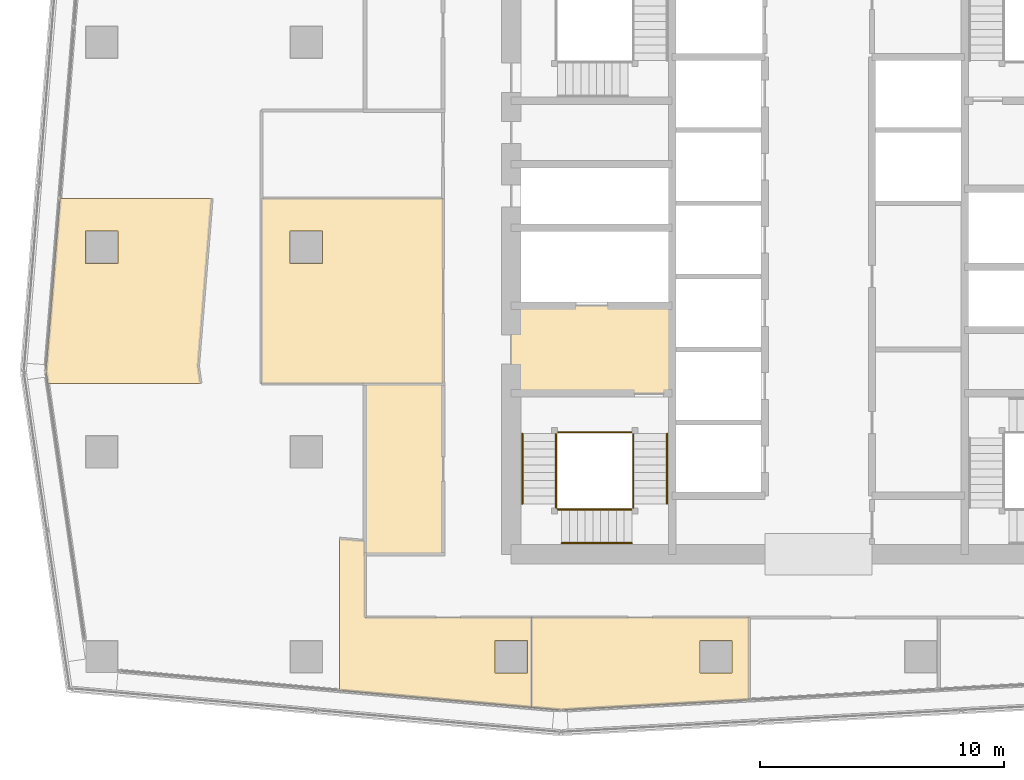
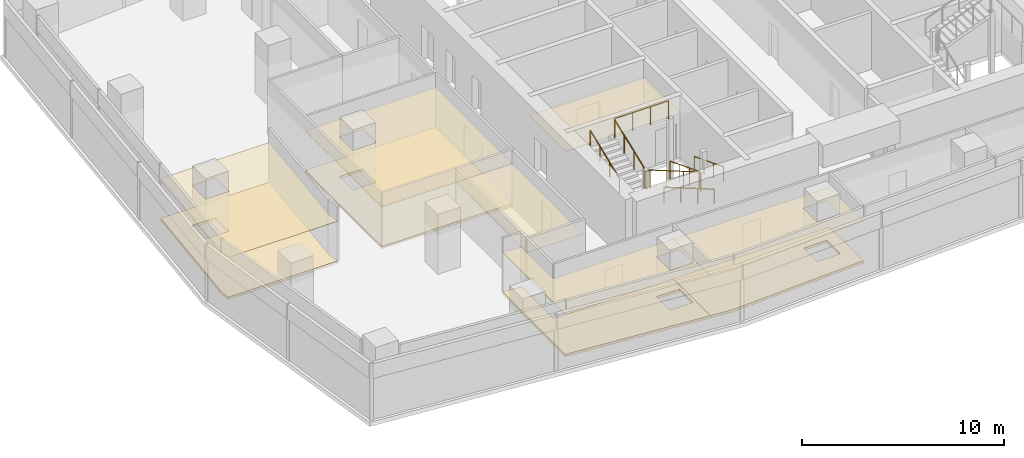
# One storey, part 26 of 30: 10 coverings, 10 railings.
"""IFC4 building model written with IfcOpenShell, lengths in metres."""

from ifc_helpers import new_model, si_unit, direction, frame, origin, origin_2d, place, context, subcontext, project, spatial, polyline, circle, outline, extrude, material, layer, layer_set, type_object, element, save


model = new_model("IFC4")

# Units and contexts
model_context = context("Model", 3, precision=1e-05, world=origin(), true_north=direction((0.0, 1.0)))
body_context = subcontext(model_context, "Body", "Model", "MODEL_VIEW")
ifc_project = project(units=[si_unit("LENGTHUNIT", "METRE"), si_unit("AREAUNIT", "SQUARE_METRE"), si_unit("VOLUMEUNIT", "CUBIC_METRE"), si_unit("PLANEANGLEUNIT", "RADIAN"), si_unit("MASSUNIT", "GRAM", prefix="KILO")], contexts=[model_context])

# Site, building, storey
site_placement = place(None, origin())
site = spatial("IfcSite", under=ifc_project, at=site_placement, CompositionType="ELEMENT")
building_placement = place(site_placement, origin())
building = spatial("IfcBuilding", under=site, at=building_placement, Name="Rekha Terrace Tower", CompositionType="ELEMENT")
storey_placement = place(building_placement, frame((0.0, 0.0, 287.60009765625)))
storey = spatial("IfcBuildingStorey", under=building, at=storey_placement, Name="L73", CompositionType="ELEMENT", Elevation=287.60009765625)

# Coverings
ifc_material_1 = material(Name="Mineral fibre tile in exposed grid", Category="finish")
ifc_layer_1 = layer(ifc_material_1, 0.02001953125)
ifc_layer_set_1 = layer_set([ifc_layer_1], Name="Mineral fibre tile in exposed grid")
covering_type_1 = type_object("IfcCoveringType", Name="CL1 600x1200 office grid ceiling", PredefinedType="CEILING", material=ifc_layer_set_1)
covering_1_placement = place(storey_placement, frame((0.0, 0.0, 2.52978515625)))
element("IfcCovering", 1, at=covering_1_placement, inside=storey, type_object=covering_type_1, Name="Ceiling L73-11", PredefinedType="CEILING", context=body_context, shape_type="SweptSolid", body=[
    extrude(outline(polyline([(6.115966796875, 28.52294921875), (6.18994140625, 28.010986328125), (12.455078125, 28.010986328125), (12.35205078125, 28.718017578125), (12.910888671875, 35.589111328125), (6.69091796875, 35.589111328125), (6.115966796875, 28.52294921875)]), holes=[polyline([(9.06494140625, 34.264892578125), (9.06494140625, 32.93505859375), (7.735107421875, 32.93505859375), (7.735107421875, 34.264892578125), (9.06494140625, 34.264892578125)])]), origin(), (0.0, 0.0, 1.0), 0.02001953125),
])
covering_2_placement = place(storey_placement, frame((0.0, 0.0, 2.52978515625)))
element("IfcCovering", 2, at=covering_2_placement, inside=storey, type_object=covering_type_1, Name="Ceiling L73-13", PredefinedType="CEILING", context=body_context, shape_type="SweptSolid", body=[
    extrude(outline(polyline([(26.02587890625, 14.718994140625), (26.02587890625, 18.39990234375), (19.199951171875, 18.39990234375), (19.199951171875, 21.550048828125), (18.14990234375, 21.64404296875), (18.14990234375, 15.4189453125), (26.02587890625, 14.718994140625)]), holes=[polyline([(25.864990234375, 17.465087890625), (25.864990234375, 16.135009765625), (24.534912109375, 16.135009765625), (24.534912109375, 17.465087890625), (25.864990234375, 17.465087890625)])]), origin(), (0.0, 0.0, 1.0), 0.02001953125),
])
covering_3_placement = place(storey_placement, frame((0.0, 0.0, 2.52978515625)))
element("IfcCovering", 3, at=covering_3_placement, inside=storey, type_object=covering_type_1, Name="Ceiling L73-14", PredefinedType="CEILING", context=body_context, shape_type="SweptSolid", body=[
    extrude(outline(polyline([(26.027099609375, 14.718994140625), (27.221923828125, 14.613037109375), (34.947021484375, 15.033935546875), (34.947021484375, 18.39990234375), (26.027099609375, 18.39990234375), (26.027099609375, 14.718994140625)]), holes=[polyline([(34.264892578125, 16.135009765625), (32.93505859375, 16.135009765625), (32.93505859375, 17.465087890625), (34.264892578125, 17.465087890625), (34.264892578125, 16.135009765625)])]), origin(), (0.0, 0.0, 1.0), 0.02001953125),
])
covering_4_placement = place(storey_placement, frame((0.0, 0.0, 2.52978515625)))
element("IfcCovering", 4, at=covering_4_placement, inside=storey, type_object=covering_type_1, Name="Ceiling L73-15", PredefinedType="CEILING", context=body_context, shape_type="SweptSolid", body=[
    extrude(outline(polyline([(22.39990234375, 35.589111328125), (14.949951171875, 35.589111328125), (14.949951171875, 28.0), (22.39990234375, 28.0), (22.39990234375, 35.589111328125)]), holes=[polyline([(17.465087890625, 34.264892578125), (17.465087890625, 32.93505859375), (16.135009765625, 32.93505859375), (16.135009765625, 34.264892578125), (17.465087890625, 34.264892578125)])]), origin(), (0.0, 0.0, 1.0), 0.02001953125),
])
ifc_material_2 = material(Name="Fibre cement board", Category="finish")
ifc_layer_2 = layer(ifc_material_2, 0.014892578125)
ifc_layer_set_2 = layer_set([ifc_layer_2], Name="Fibre cement board")
covering_type_2 = type_object("IfcCoveringType", Name="CL2 moisture-resistant board ceiling", PredefinedType="CEILING", material=ifc_layer_set_2)
covering_5_placement = place(storey_placement, frame((0.0, 0.0, 2.534912109375)))
element("IfcCovering", 5, at=covering_5_placement, inside=storey, type_object=covering_type_2, Name="Ceiling L73-WCM", PredefinedType="CEILING", context=body_context, shape_type="SweptSolid", body=[
    extrude(outline(polyline([(22.39990234375, 28.0), (19.199951171875, 28.0), (19.199951171875, 21.0), (22.39990234375, 21.0), (22.39990234375, 28.0)])), origin(), (0.0, 0.0, 1.0), 0.014892578125),
])
ifc_material_3 = material(Name="Powder-coated aluminium pan", Category="aluminium")
ifc_layer_3 = layer(ifc_material_3, 0.030029296875)
ifc_layer_set_3 = layer_set([ifc_layer_3], Name="Powder-coated aluminium pan")
covering_type_3 = type_object("IfcCoveringType", Name="CL3 300x1200 metal pan ceiling", PredefinedType="CEILING", material=ifc_layer_set_3)
covering_6_placement = place(storey_placement, frame((0.0, 0.0, 2.52001953125)))
element("IfcCovering", 6, at=covering_6_placement, inside=storey, type_object=covering_type_3, Name="Ceiling L73-FLB1", PredefinedType="CEILING", context=body_context, shape_type="SweptSolid", body=[
    extrude(outline(polyline([(31.800048828125, 31.199951171875), (25.199951171875, 31.199951171875), (25.199951171875, 27.60009765625), (31.800048828125, 27.60009765625), (31.800048828125, 31.199951171875)])), origin(), (0.0, 0.0, 1.0), 0.02978515625),
])

# Railings
ifc_material_4 = material(Name="Stainless steel balustrade", Category="steel")
railing_type_1 = type_object("IfcRailingType", Name="GR1 1100 stair guard", PredefinedType="GUARDRAIL", material=ifc_material_4)
railing_1_placement = place(storey_placement, frame((30.2099609375, 25.949951171875, 0.125)))
element("IfcRailing", 7, at=railing_1_placement, inside=storey, type_object=railing_type_1, Name="Guard ST1 L73 flight 1", PredefinedType="GUARDRAIL", context=body_context, shape_type="SweptSolid", body=[
    extrude(circle(Radius=0.02392578125, at=origin_2d()), frame((0.0, 0.0, 1.076171875), z_axis=(0.0, -0.931452331594, 0.363863372667), x_axis=(1.0, 0.0, 0.0)), (0.0, 0.0, 1.0), 3.091796875),
    extrude(circle(Radius=0.02099609375, at=origin_2d()), origin(), (0.0, 0.0, 1.0), 1.052001953125),
    extrude(circle(Radius=0.02099609375, at=origin_2d()), frame((0.0, -0.9599609375, 0.375)), (0.0, 0.0, 1.0), 1.052001953125),
    extrude(circle(Radius=0.02099609375, at=origin_2d()), frame((0.0, -1.919921875, 0.75)), (0.0, 0.0, 1.0), 1.052001953125),
    extrude(circle(Radius=0.02099609375, at=origin_2d()), frame((0.0, -2.8798828125, 1.125)), (0.0, 0.0, 1.0), 1.052001953125),
])
railing_2_placement = place(storey_placement, frame((30.14990234375, 22.840087890625, 1.375)))
element("IfcRailing", 8, at=railing_2_placement, inside=storey, type_object=railing_type_1, Name="Guard ST1 L73 flight 2", PredefinedType="GUARDRAIL", context=body_context, shape_type="SweptSolid", body=[
    extrude(circle(Radius=0.02392578125, at=origin_2d()), frame((0.0, 0.0, 1.076171875), z_axis=(-0.931452331594, 0.0, 0.363863372667), x_axis=(0.0, -1.0, 0.0)), (0.0, 0.0, 1.0), 3.091796875),
    extrude(circle(Radius=0.02099609375, at=origin_2d()), origin(), (0.0, 0.0, 1.0), 1.052001953125),
    extrude(circle(Radius=0.02099609375, at=origin_2d()), frame((-0.9599609375, 0.0, 0.375)), (0.0, 0.0, 1.0), 1.052001953125),
    extrude(circle(Radius=0.02099609375, at=origin_2d()), frame((-1.919921875, 0.0, 0.75)), (0.0, 0.0, 1.0), 1.052001953125),
    extrude(circle(Radius=0.02099609375, at=origin_2d()), frame((-2.8798828125, 0.0, 1.125)), (0.0, 0.0, 1.0), 1.052001953125),
])
railing_3_placement = place(storey_placement, frame((27.0400390625, 23.070068359375, 2.625)))
element("IfcRailing", 9, at=railing_3_placement, inside=storey, type_object=railing_type_1, Name="Guard ST1 L73 flight 3", PredefinedType="GUARDRAIL", context=body_context, shape_type="SweptSolid", body=[
    extrude(circle(Radius=0.02392578125, at=origin_2d()), frame((0.0, 0.0, 1.076171875), z_axis=(0.0, 0.931452331594, 0.363863372667), x_axis=(-1.0, 0.0, 0.0)), (0.0, 0.0, 1.0), 3.091796875),
    extrude(circle(Radius=0.02099609375, at=origin_2d()), origin(), (0.0, 0.0, 1.0), 1.052001953125),
    extrude(circle(Radius=0.02099609375, at=origin_2d()), frame((0.0, 0.9599609375, 0.375)), (0.0, 0.0, 1.0), 1.052001953125),
    extrude(circle(Radius=0.02099609375, at=origin_2d()), frame((0.0, 1.919921875, 0.75)), (0.0, 0.0, 1.0), 1.052001953125),
    extrude(circle(Radius=0.02099609375, at=origin_2d()), frame((0.0, 2.8798828125, 1.125)), (0.0, 0.0, 1.0), 1.052001953125),
])
railing_4_placement = place(storey_placement, frame((30.2099609375, 23.070068359375, 1.25)))
element("IfcRailing", 10, at=railing_4_placement, inside=storey, type_object=railing_type_1, Name="Guard ST1 L73 landing 1", PredefinedType="GUARDRAIL", context=body_context, shape_type="SweptSolid", body=[
    extrude(circle(Radius=0.02392578125, at=origin_2d()), frame((0.0, 0.0, 1.076171875), z_axis=(0.0, -1.0, 0.0), x_axis=(1.0, 0.0, 0.0)), (0.0, 0.0, 1.0), 0.170166015625),
    extrude(circle(Radius=0.02099609375, at=origin_2d()), origin(), (0.0, 0.0, 1.0), 1.052001953125),
    extrude(circle(Radius=0.02099609375, at=origin_2d()), frame((0.0, -0.170166015625, 0.0)), (0.0, 0.0, 1.0), 1.052001953125),
])
railing_5_placement = place(storey_placement, frame((27.27001953125, 22.840087890625, 2.5)))
element("IfcRailing", 11, at=railing_5_placement, inside=storey, type_object=railing_type_1, Name="Guard ST1 L73 landing 2", PredefinedType="GUARDRAIL", context=body_context, shape_type="SweptSolid", body=[
    extrude(circle(Radius=0.02392578125, at=origin_2d()), frame((0.0, 0.0, 1.076171875), z_axis=(-1.0, 0.0, 0.0), x_axis=(0.0, -1.0, 0.0)), (0.0, 0.0, 1.0), 0.169921875),
    extrude(circle(Radius=0.02099609375, at=origin_2d()), origin(), (0.0, 0.0, 1.0), 1.052001953125),
    extrude(circle(Radius=0.02099609375, at=origin_2d()), frame((-0.169921875, 0.0, 0.0)), (0.0, 0.0, 1.0), 1.052001953125),
])
railing_6_placement = place(storey_placement, frame((27.0400390625, 23.070068359375, 2.5)))
element("IfcRailing", 12, at=railing_6_placement, inside=storey, type_object=railing_type_1, Name="Guard ST1 L73 landing 3", PredefinedType="GUARDRAIL", context=body_context, shape_type="SweptSolid", body=[
    extrude(circle(Radius=0.02392578125, at=origin_2d()), frame((0.0, 0.0, 1.076171875), z_axis=(0.0, -1.0, 0.0), x_axis=(1.0, 0.0, 0.0)), (0.0, 0.0, 1.0), 0.170166015625),
    extrude(circle(Radius=0.02099609375, at=origin_2d()), origin(), (0.0, 0.0, 1.0), 1.052001953125),
    extrude(circle(Radius=0.02099609375, at=origin_2d()), frame((0.0, -0.170166015625, 0.0)), (0.0, 0.0, 1.0), 1.052001953125),
])
railing_7_placement = place(storey_placement, frame((30.14990234375, 26.010009765625, 3.75)))
element("IfcRailing", 13, at=railing_7_placement, inside=storey, type_object=railing_type_1, Name="Guard ST1 L73 landing 4", PredefinedType="GUARDRAIL", context=body_context, shape_type="SweptSolid", body=[
    extrude(circle(Radius=0.02392578125, at=origin_2d()), frame((0.0, 0.0, 1.076171875), z_axis=(-1.0, 0.0, 0.0), x_axis=(0.0, -1.0, 0.0)), (0.0, 0.0, 1.0), 3.0498046875),
    extrude(circle(Radius=0.02099609375, at=origin_2d()), origin(), (0.0, 0.0, 1.0), 1.052001953125),
    extrude(circle(Radius=0.02099609375, at=origin_2d()), frame((-1.0166015625, 0.0, 0.0)), (0.0, 0.0, 1.0), 1.052001953125),
    extrude(circle(Radius=0.02099609375, at=origin_2d()), frame((-2.033203125, 0.0, 0.0)), (0.0, 0.0, 1.0), 1.052001953125),
    extrude(circle(Radius=0.02099609375, at=origin_2d()), frame((-3.0498046875, 0.0, 0.0)), (0.0, 0.0, 1.0), 1.052001953125),
])
ifc_material_5 = material(Name="Stainless steel tube", Category="steel")
railing_type_2 = type_object("IfcRailingType", Name="HR1 900 stair handrail", PredefinedType="HANDRAIL", material=ifc_material_5)
railing_8_placement = place(storey_placement, frame((31.590087890625, 25.949951171875, 0.125)))
element("IfcRailing", 14, at=railing_8_placement, inside=storey, type_object=railing_type_2, Name="Handrail ST1 L73 flight 1", PredefinedType="HANDRAIL", context=body_context, shape_type="SweptSolid", body=[
    extrude(circle(Radius=0.02392578125, at=origin_2d()), frame((0.0, 0.0, 0.8759765625), z_axis=(0.0, -0.931452331594, 0.363863372667), x_axis=(1.0, 0.0, 0.0)), (0.0, 0.0, 1.0), 3.091796875),
    extrude(circle(Radius=0.02099609375, at=origin_2d()), origin(), (0.0, 0.0, 1.0), 0.851806640625),
    extrude(circle(Radius=0.02099609375, at=origin_2d()), frame((0.0, -0.9599609375, 0.375)), (0.0, 0.0, 1.0), 0.851806640625),
    extrude(circle(Radius=0.02099609375, at=origin_2d()), frame((0.0, -1.919921875, 0.75)), (0.0, 0.0, 1.0), 0.851806640625),
    extrude(circle(Radius=0.02099609375, at=origin_2d()), frame((0.0, -2.8798828125, 1.125)), (0.0, 0.0, 1.0), 0.851806640625),
])
railing_9_placement = place(storey_placement, frame((30.14990234375, 21.4599609375, 1.375)))
element("IfcRailing", 15, at=railing_9_placement, inside=storey, type_object=railing_type_2, Name="Handrail ST1 L73 flight 2", PredefinedType="HANDRAIL", context=body_context, shape_type="SweptSolid", body=[
    extrude(circle(Radius=0.02392578125, at=origin_2d()), frame((0.0, 0.0, 0.8759765625), z_axis=(-0.931452331594, 0.0, 0.363863372667), x_axis=(0.0, -1.0, 0.0)), (0.0, 0.0, 1.0), 3.091796875),
    extrude(circle(Radius=0.02099609375, at=origin_2d()), origin(), (0.0, 0.0, 1.0), 0.851806640625),
    extrude(circle(Radius=0.02099609375, at=origin_2d()), frame((-0.9599609375, 0.0, 0.375)), (0.0, 0.0, 1.0), 0.851806640625),
    extrude(circle(Radius=0.02099609375, at=origin_2d()), frame((-1.919921875, 0.0, 0.75)), (0.0, 0.0, 1.0), 0.851806640625),
    extrude(circle(Radius=0.02099609375, at=origin_2d()), frame((-2.8798828125, 0.0, 1.125)), (0.0, 0.0, 1.0), 0.851806640625),
])
railing_10_placement = place(storey_placement, frame((25.659912109375, 23.070068359375, 2.625)))
element("IfcRailing", 16, at=railing_10_placement, inside=storey, type_object=railing_type_2, Name="Handrail ST1 L73 flight 3", PredefinedType="HANDRAIL", context=body_context, shape_type="SweptSolid", body=[
    extrude(circle(Radius=0.02392578125, at=origin_2d()), frame((0.0, 0.0, 0.8759765625), z_axis=(0.0, 0.931452331594, 0.363863372667), x_axis=(-1.0, 0.0, 0.0)), (0.0, 0.0, 1.0), 3.091796875),
    extrude(circle(Radius=0.02099609375, at=origin_2d()), origin(), (0.0, 0.0, 1.0), 0.851806640625),
    extrude(circle(Radius=0.02099609375, at=origin_2d()), frame((0.0, 0.9599609375, 0.375)), (0.0, 0.0, 1.0), 0.851806640625),
    extrude(circle(Radius=0.02099609375, at=origin_2d()), frame((0.0, 1.919921875, 0.75)), (0.0, 0.0, 1.0), 0.851806640625),
    extrude(circle(Radius=0.02099609375, at=origin_2d()), frame((0.0, 2.8798828125, 1.125)), (0.0, 0.0, 1.0), 0.851806640625),
])

# Coverings
ifc_material_6 = material(Name="Calcium sulphate panels on steel pedestals", Category="steel")
ifc_layer_4 = layer(ifc_material_6, 0.14990234375)
ifc_layer_set_4 = layer_set([ifc_layer_4], Name="Calcium sulphate panels on steel pedestals")
covering_type_4 = type_object("IfcCoveringType", Name="RF1 150 raised access floor", PredefinedType="FLOORING", material=ifc_layer_set_4)
covering_7_placement = place(storey_placement, origin())
element("IfcCovering", 17, at=covering_7_placement, inside=storey, type_object=covering_type_4, Name="Raised floor L73-11", PredefinedType="FLOORING", context=body_context, shape_type="SweptSolid", body=[
    extrude(outline(polyline([(6.115966796875, 28.52294921875), (6.18994140625, 28.010986328125), (12.455078125, 28.010986328125), (12.35205078125, 28.718017578125), (12.910888671875, 35.589111328125), (6.69091796875, 35.589111328125), (6.115966796875, 28.52294921875)]), holes=[polyline([(9.06494140625, 34.264892578125), (9.06494140625, 32.93505859375), (7.735107421875, 32.93505859375), (7.735107421875, 34.264892578125), (9.06494140625, 34.264892578125)])]), origin(), (0.0, 0.0, 1.0), 0.14990234375),
])
covering_8_placement = place(storey_placement, origin())
element("IfcCovering", 18, at=covering_8_placement, inside=storey, type_object=covering_type_4, Name="Raised floor L73-13", PredefinedType="FLOORING", context=body_context, shape_type="SweptSolid", body=[
    extrude(outline(polyline([(26.02587890625, 14.718994140625), (26.02587890625, 18.39990234375), (19.199951171875, 18.39990234375), (19.199951171875, 21.550048828125), (18.14990234375, 21.64404296875), (18.14990234375, 15.4189453125), (26.02587890625, 14.718994140625)]), holes=[polyline([(25.864990234375, 17.465087890625), (25.864990234375, 16.135009765625), (24.534912109375, 16.135009765625), (24.534912109375, 17.465087890625), (25.864990234375, 17.465087890625)])]), origin(), (0.0, 0.0, 1.0), 0.14990234375),
])
covering_9_placement = place(storey_placement, origin())
element("IfcCovering", 19, at=covering_9_placement, inside=storey, type_object=covering_type_4, Name="Raised floor L73-14", PredefinedType="FLOORING", context=body_context, shape_type="SweptSolid", body=[
    extrude(outline(polyline([(26.027099609375, 14.718994140625), (27.221923828125, 14.613037109375), (34.947021484375, 15.033935546875), (34.947021484375, 18.39990234375), (26.027099609375, 18.39990234375), (26.027099609375, 14.718994140625)]), holes=[polyline([(34.264892578125, 16.135009765625), (32.93505859375, 16.135009765625), (32.93505859375, 17.465087890625), (34.264892578125, 17.465087890625), (34.264892578125, 16.135009765625)])]), origin(), (0.0, 0.0, 1.0), 0.14990234375),
])
covering_10_placement = place(storey_placement, origin())
element("IfcCovering", 20, at=covering_10_placement, inside=storey, type_object=covering_type_4, Name="Raised floor L73-15", PredefinedType="FLOORING", context=body_context, shape_type="SweptSolid", body=[
    extrude(outline(polyline([(22.39990234375, 35.589111328125), (14.949951171875, 35.589111328125), (14.949951171875, 28.0), (22.39990234375, 28.0), (22.39990234375, 35.589111328125)]), holes=[polyline([(17.465087890625, 34.264892578125), (17.465087890625, 32.93505859375), (16.135009765625, 32.93505859375), (16.135009765625, 34.264892578125), (17.465087890625, 34.264892578125)])]), origin(), (0.0, 0.0, 1.0), 0.14990234375),
])

save(model, "model.ifc")
